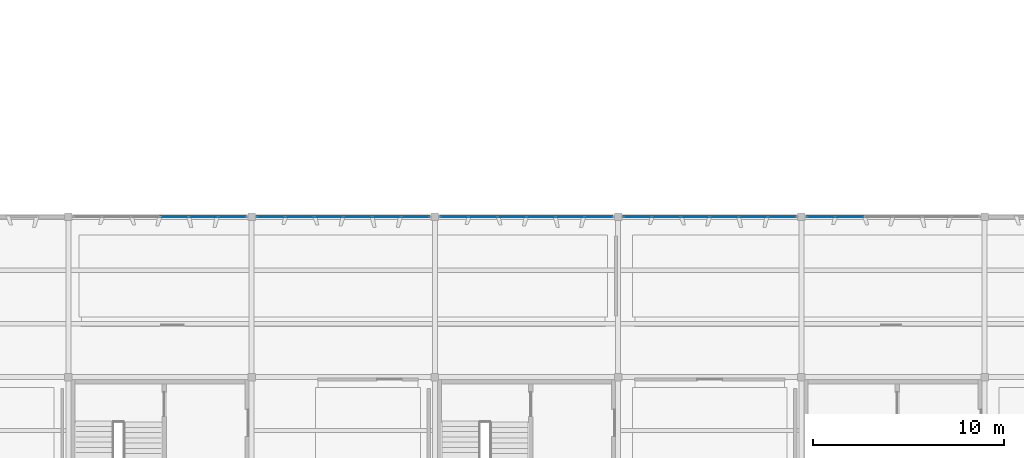
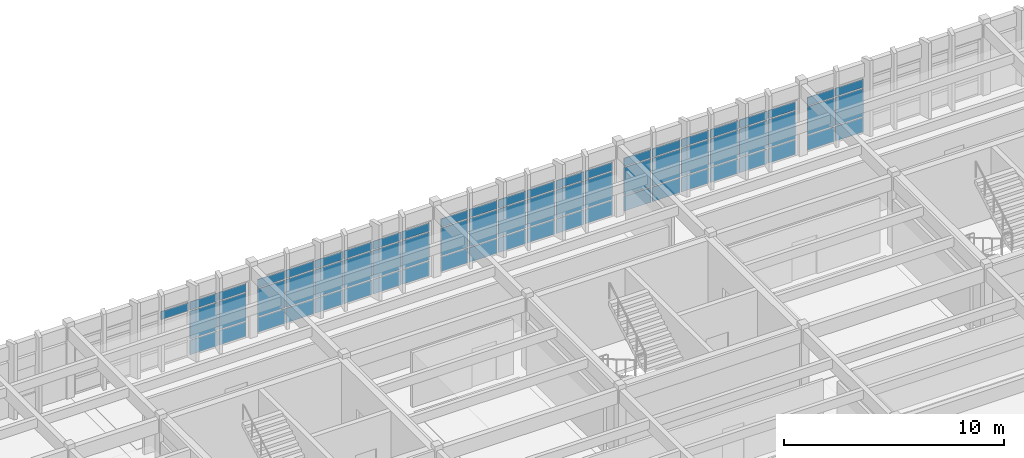
# One storey, part 20 of 42: 67 plates, 5 elements without a shape of their own.
"""IFC4 building model written with IfcOpenShell, lengths in metres."""

from ifc_helpers import new_model, si_unit, direction, frame, origin, origin_2d, place, context, subcontext, project, spatial, rectangle, extrude, material, layer, layer_set, type_object, element, aggregate, save


model = new_model("IFC4")

# Units and contexts
model_context = context("Model", 3, precision=1e-05, world=origin(), true_north=direction((0.0, 1.0)))
body_context = subcontext(model_context, "Body", "Model", "MODEL_VIEW")
ifc_project = project(units=[si_unit("LENGTHUNIT", "METRE"), si_unit("AREAUNIT", "SQUARE_METRE"), si_unit("VOLUMEUNIT", "CUBIC_METRE"), si_unit("PLANEANGLEUNIT", "RADIAN"), si_unit("MASSUNIT", "GRAM", prefix="KILO")], contexts=[model_context])

# Site, building, storey
site_placement = place(None, origin())
site = spatial("IfcSite", under=ifc_project, at=site_placement, CompositionType="ELEMENT")
building_placement = place(site_placement, origin())
building = spatial("IfcBuilding", under=site, at=building_placement, Name="Kolvemor Railside Polytechnic", CompositionType="ELEMENT")
storey_placement = place(building_placement, frame((0.0, 0.0, 14.39990234375)))
storey = spatial("IfcBuildingStorey", under=building, at=storey_placement, Name="L03", CompositionType="ELEMENT", Elevation=14.39990234375)

# Curtain wall, plates
ifc_material_1 = material(Name="Anodised marine aluminium and laminated low-E glass", Category="aluminium")
ifc_layer_1 = layer(ifc_material_1, 0.179931640625, Name="CW-UNIT-STD")
ifc_layer_set_1 = layer_set([ifc_layer_1], Name="Anodised marine aluminium and laminated low-E glass")
curtain_wall_type = type_object("IfcCurtainWallType", Name="CW-UNIT-STD", PredefinedType="USERDEFINED", material=ifc_layer_set_1)
curtain_wall_1_placement = place(storey_placement, origin())
curtain_wall_1 = element("IfcCurtainWall", 1, at=curtain_wall_1_placement, inside=storey, type_object=curtain_wall_type, Name="Curtain Wall L03-126", ObjectType="UNITISED CURTAIN WALL", PredefinedType="USERDEFINED")
ifc_material_2 = material(Name="Hurricane-laminated solar-control low-E glass", Category="glass")
ifc_layer_2 = layer(ifc_material_2, 0.033935546875, Name="CWP-GLZ-07")
ifc_layer_set_2 = layer_set([ifc_layer_2], Name="Hurricane-laminated solar-control low-E glass")
plate_type_1 = type_object("IfcPlateType", Name="CWP-GLZ-07", PredefinedType="CURTAIN_PANEL", material=ifc_layer_set_2)
plate_1_placement = place(storey_placement, frame((75.78369140625, 38.39990234375, 0.06494140625), z_axis=(0.0, 0.0, 1.0), x_axis=(-1.0, 0.0, 0.0)))
plate_1 = element("IfcPlate", 2, at=plate_1_placement, type_object=plate_type_1, Name="CW-STD panel 1.1", PredefinedType="CURTAIN_PANEL", context=body_context, shape_type="SweptSolid", body=[
    extrude(rectangle(XDim=1.422607421875, YDim=0.033935546875, at=origin_2d()), origin(), (0.0, 0.0, 1.0), 0.802490234375),
])
plate_2_placement = place(storey_placement, frame((75.78369140625, 38.39990234375, 0.9326171875), z_axis=(0.0, 0.0, 1.0), x_axis=(-1.0, 0.0, 0.0)))
plate_2 = element("IfcPlate", 3, at=plate_2_placement, type_object=plate_type_1, Name="CW-STD panel 1.2", PredefinedType="CURTAIN_PANEL", context=body_context, shape_type="SweptSolid", body=[
    extrude(rectangle(XDim=1.422607421875, YDim=0.033935546875, at=origin_2d()), origin(), (0.0, 0.0, 1.0), 1.534912109375),
])
plate_3_placement = place(storey_placement, frame((75.78369140625, 38.39990234375, 2.53271484375), z_axis=(0.0, 0.0, 1.0), x_axis=(-1.0, 0.0, 0.0)))
plate_3 = element("IfcPlate", 4, at=plate_3_placement, type_object=plate_type_1, Name="CW-STD panel 1.3", PredefinedType="CURTAIN_PANEL", context=body_context, shape_type="SweptSolid", body=[
    extrude(rectangle(XDim=1.422607421875, YDim=0.033935546875, at=origin_2d()), origin(), (0.0, 0.0, 1.0), 0.452392578125),
])
plate_4_placement = place(storey_placement, frame((74.280029296875, 38.39990234375, 0.06494140625), z_axis=(0.0, 0.0, 1.0), x_axis=(-1.0, 0.0, 0.0)))
plate_4 = element("IfcPlate", 5, at=plate_4_placement, type_object=plate_type_1, Name="CW-STD panel 2.1", PredefinedType="CURTAIN_PANEL", context=body_context, shape_type="SweptSolid", body=[
    extrude(rectangle(XDim=1.455078125, YDim=0.033935546875, at=origin_2d()), origin(), (0.0, 0.0, 1.0), 0.802490234375),
])
plate_5_placement = place(storey_placement, frame((74.280029296875, 38.39990234375, 0.9326171875), z_axis=(0.0, 0.0, 1.0), x_axis=(-1.0, 0.0, 0.0)))
plate_5 = element("IfcPlate", 6, at=plate_5_placement, type_object=plate_type_1, Name="CW-STD panel 2.2", PredefinedType="CURTAIN_PANEL", context=body_context, shape_type="SweptSolid", body=[
    extrude(rectangle(XDim=1.455078125, YDim=0.033935546875, at=origin_2d()), origin(), (0.0, 0.0, 1.0), 1.534912109375),
])
plate_6_placement = place(storey_placement, frame((74.280029296875, 38.39990234375, 2.53271484375), z_axis=(0.0, 0.0, 1.0), x_axis=(-1.0, 0.0, 0.0)))
plate_6 = element("IfcPlate", 7, at=plate_6_placement, type_object=plate_type_1, Name="CW-STD panel 2.3", PredefinedType="CURTAIN_PANEL", context=body_context, shape_type="SweptSolid", body=[
    extrude(rectangle(XDim=1.455078125, YDim=0.033935546875, at=origin_2d()), origin(), (0.0, 0.0, 1.0), 0.452392578125),
])
plate_7_placement = place(storey_placement, frame((72.760009765625, 38.39990234375, 2.53271484375), z_axis=(0.0, 0.0, 1.0), x_axis=(-1.0, 0.0, 0.0)))
plate_7 = element("IfcPlate", 8, at=plate_7_placement, type_object=plate_type_1, Name="CW-STD panel 3.3", PredefinedType="CURTAIN_PANEL", context=body_context, shape_type="SweptSolid", body=[
    extrude(rectangle(XDim=1.455078125, YDim=0.033935546875, at=origin_2d()), origin(), (0.0, 0.0, 1.0), 0.452392578125),
])
aggregate(curtain_wall_1, [plate_1, plate_2, plate_3, plate_4, plate_5, plate_6, plate_7])

curtain_wall_2_placement = place(storey_placement, origin())
curtain_wall_2 = element("IfcCurtainWall", 9, at=curtain_wall_2_placement, inside=storey, type_object=curtain_wall_type, Name="Curtain Wall L03-127", ObjectType="UNITISED CURTAIN WALL", PredefinedType="USERDEFINED")
ifc_material_3 = material(Name="Hurricane-laminated solar-control low-E glass", Category="glass")
ifc_layer_3 = layer(ifc_material_3, 0.035888671875, Name="CWP-GLZ-08")
ifc_layer_set_3 = layer_set([ifc_layer_3], Name="Hurricane-laminated solar-control low-E glass")
plate_type_2 = type_object("IfcPlateType", Name="CWP-GLZ-08", PredefinedType="CURTAIN_PANEL", material=ifc_layer_set_3)
plate_8_placement = place(storey_placement, frame((85.3837890625, 38.39990234375, 0.06494140625), z_axis=(0.0, 0.0, 1.0), x_axis=(-1.0, 0.0, 0.0)))
plate_8 = element("IfcPlate", 10, at=plate_8_placement, type_object=plate_type_2, Name="CW-STD panel 1.1", PredefinedType="CURTAIN_PANEL", context=body_context, shape_type="SweptSolid", body=[
    extrude(rectangle(XDim=1.422607421875, YDim=0.035888671875, at=origin_2d()), origin(), (0.0, 0.0, 1.0), 0.802490234375),
])
plate_9_placement = place(storey_placement, frame((85.3837890625, 38.39990234375, 0.9326171875), z_axis=(0.0, 0.0, 1.0), x_axis=(-1.0, 0.0, 0.0)))
plate_9 = element("IfcPlate", 11, at=plate_9_placement, type_object=plate_type_2, Name="CW-STD panel 1.2", PredefinedType="CURTAIN_PANEL", context=body_context, shape_type="SweptSolid", body=[
    extrude(rectangle(XDim=1.422607421875, YDim=0.035888671875, at=origin_2d()), origin(), (0.0, 0.0, 1.0), 1.534912109375),
])
plate_10_placement = place(storey_placement, frame((85.3837890625, 38.39990234375, 2.53271484375), z_axis=(0.0, 0.0, 1.0), x_axis=(-1.0, 0.0, 0.0)))
plate_10 = element("IfcPlate", 12, at=plate_10_placement, type_object=plate_type_2, Name="CW-STD panel 1.3", PredefinedType="CURTAIN_PANEL", context=body_context, shape_type="SweptSolid", body=[
    extrude(rectangle(XDim=1.422607421875, YDim=0.035888671875, at=origin_2d()), origin(), (0.0, 0.0, 1.0), 0.452392578125),
])
plate_11_placement = place(storey_placement, frame((83.8798828125, 38.39990234375, 0.06494140625), z_axis=(0.0, 0.0, 1.0), x_axis=(-1.0, 0.0, 0.0)))
plate_11 = element("IfcPlate", 13, at=plate_11_placement, type_object=plate_type_2, Name="CW-STD panel 2.1", PredefinedType="CURTAIN_PANEL", context=body_context, shape_type="SweptSolid", body=[
    extrude(rectangle(XDim=1.455078125, YDim=0.035888671875, at=origin_2d()), origin(), (0.0, 0.0, 1.0), 0.802490234375),
])
plate_12_placement = place(storey_placement, frame((83.8798828125, 38.39990234375, 0.9326171875), z_axis=(0.0, 0.0, 1.0), x_axis=(-1.0, 0.0, 0.0)))
plate_12 = element("IfcPlate", 14, at=plate_12_placement, type_object=plate_type_2, Name="CW-STD panel 2.2", PredefinedType="CURTAIN_PANEL", context=body_context, shape_type="SweptSolid", body=[
    extrude(rectangle(XDim=1.455078125, YDim=0.035888671875, at=origin_2d()), origin(), (0.0, 0.0, 1.0), 1.534912109375),
])
plate_13_placement = place(storey_placement, frame((83.8798828125, 38.39990234375, 2.53271484375), z_axis=(0.0, 0.0, 1.0), x_axis=(-1.0, 0.0, 0.0)))
plate_13 = element("IfcPlate", 15, at=plate_13_placement, type_object=plate_type_2, Name="CW-STD panel 2.3", PredefinedType="CURTAIN_PANEL", context=body_context, shape_type="SweptSolid", body=[
    extrude(rectangle(XDim=1.455078125, YDim=0.035888671875, at=origin_2d()), origin(), (0.0, 0.0, 1.0), 0.452392578125),
])
plate_14_placement = place(storey_placement, frame((82.360107421875, 38.39990234375, 0.06494140625), z_axis=(0.0, 0.0, 1.0), x_axis=(-1.0, 0.0, 0.0)))
plate_14 = element("IfcPlate", 16, at=plate_14_placement, type_object=plate_type_2, Name="CW-STD panel 3.1", PredefinedType="CURTAIN_PANEL", context=body_context, shape_type="SweptSolid", body=[
    extrude(rectangle(XDim=1.455078125, YDim=0.035888671875, at=origin_2d()), origin(), (0.0, 0.0, 1.0), 0.802490234375),
])
plate_15_placement = place(storey_placement, frame((82.360107421875, 38.39990234375, 0.9326171875), z_axis=(0.0, 0.0, 1.0), x_axis=(-1.0, 0.0, 0.0)))
plate_15 = element("IfcPlate", 17, at=plate_15_placement, type_object=plate_type_2, Name="CW-STD panel 3.2", PredefinedType="CURTAIN_PANEL", context=body_context, shape_type="SweptSolid", body=[
    extrude(rectangle(XDim=1.455078125, YDim=0.035888671875, at=origin_2d()), origin(), (0.0, 0.0, 1.0), 1.534912109375),
])
plate_16_placement = place(storey_placement, frame((82.360107421875, 38.39990234375, 2.53271484375), z_axis=(0.0, 0.0, 1.0), x_axis=(-1.0, 0.0, 0.0)))
plate_16 = element("IfcPlate", 18, at=plate_16_placement, type_object=plate_type_2, Name="CW-STD panel 3.3", PredefinedType="CURTAIN_PANEL", context=body_context, shape_type="SweptSolid", body=[
    extrude(rectangle(XDim=1.455078125, YDim=0.035888671875, at=origin_2d()), origin(), (0.0, 0.0, 1.0), 0.452392578125),
])
plate_17_placement = place(storey_placement, frame((80.840087890625, 38.39990234375, 0.06494140625), z_axis=(0.0, 0.0, 1.0), x_axis=(-1.0, 0.0, 0.0)))
plate_17 = element("IfcPlate", 19, at=plate_17_placement, type_object=plate_type_2, Name="CW-STD panel 4.1", PredefinedType="CURTAIN_PANEL", context=body_context, shape_type="SweptSolid", body=[
    extrude(rectangle(XDim=1.455078125, YDim=0.035888671875, at=origin_2d()), origin(), (0.0, 0.0, 1.0), 0.802490234375),
])
plate_18_placement = place(storey_placement, frame((80.840087890625, 38.39990234375, 0.9326171875), z_axis=(0.0, 0.0, 1.0), x_axis=(-1.0, 0.0, 0.0)))
plate_18 = element("IfcPlate", 20, at=plate_18_placement, type_object=plate_type_2, Name="CW-STD panel 4.2", PredefinedType="CURTAIN_PANEL", context=body_context, shape_type="SweptSolid", body=[
    extrude(rectangle(XDim=1.455078125, YDim=0.035888671875, at=origin_2d()), origin(), (0.0, 0.0, 1.0), 1.534912109375),
])
plate_19_placement = place(storey_placement, frame((80.840087890625, 38.39990234375, 2.53271484375), z_axis=(0.0, 0.0, 1.0), x_axis=(-1.0, 0.0, 0.0)))
plate_19 = element("IfcPlate", 21, at=plate_19_placement, type_object=plate_type_2, Name="CW-STD panel 4.3", PredefinedType="CURTAIN_PANEL", context=body_context, shape_type="SweptSolid", body=[
    extrude(rectangle(XDim=1.455078125, YDim=0.035888671875, at=origin_2d()), origin(), (0.0, 0.0, 1.0), 0.452392578125),
])
plate_20_placement = place(storey_placement, frame((79.320068359375, 38.39990234375, 0.06494140625), z_axis=(0.0, 0.0, 1.0), x_axis=(-1.0, 0.0, 0.0)))
plate_20 = element("IfcPlate", 22, at=plate_20_placement, type_object=plate_type_2, Name="CW-STD panel 5.1", PredefinedType="CURTAIN_PANEL", context=body_context, shape_type="SweptSolid", body=[
    extrude(rectangle(XDim=1.455078125, YDim=0.035888671875, at=origin_2d()), origin(), (0.0, 0.0, 1.0), 0.802490234375),
])
plate_21_placement = place(storey_placement, frame((79.320068359375, 38.39990234375, 0.9326171875), z_axis=(0.0, 0.0, 1.0), x_axis=(-1.0, 0.0, 0.0)))
plate_21 = element("IfcPlate", 23, at=plate_21_placement, type_object=plate_type_2, Name="CW-STD panel 5.2", PredefinedType="CURTAIN_PANEL", context=body_context, shape_type="SweptSolid", body=[
    extrude(rectangle(XDim=1.455078125, YDim=0.035888671875, at=origin_2d()), origin(), (0.0, 0.0, 1.0), 1.534912109375),
])
plate_22_placement = place(storey_placement, frame((79.320068359375, 38.39990234375, 2.53271484375), z_axis=(0.0, 0.0, 1.0), x_axis=(-1.0, 0.0, 0.0)))
plate_22 = element("IfcPlate", 24, at=plate_22_placement, type_object=plate_type_2, Name="CW-STD panel 5.3", PredefinedType="CURTAIN_PANEL", context=body_context, shape_type="SweptSolid", body=[
    extrude(rectangle(XDim=1.455078125, YDim=0.035888671875, at=origin_2d()), origin(), (0.0, 0.0, 1.0), 0.452392578125),
])
plate_23_placement = place(storey_placement, frame((77.816162109375, 38.39990234375, 0.06494140625), z_axis=(0.0, 0.0, 1.0), x_axis=(-1.0, 0.0, 0.0)))
plate_23 = element("IfcPlate", 25, at=plate_23_placement, type_object=plate_type_2, Name="CW-STD panel 6.1", PredefinedType="CURTAIN_PANEL", context=body_context, shape_type="SweptSolid", body=[
    extrude(rectangle(XDim=1.422607421875, YDim=0.035888671875, at=origin_2d()), origin(), (0.0, 0.0, 1.0), 0.802490234375),
])
plate_24_placement = place(storey_placement, frame((77.816162109375, 38.39990234375, 0.9326171875), z_axis=(0.0, 0.0, 1.0), x_axis=(-1.0, 0.0, 0.0)))
plate_24 = element("IfcPlate", 26, at=plate_24_placement, type_object=plate_type_2, Name="CW-STD panel 6.2", PredefinedType="CURTAIN_PANEL", context=body_context, shape_type="SweptSolid", body=[
    extrude(rectangle(XDim=1.422607421875, YDim=0.035888671875, at=origin_2d()), origin(), (0.0, 0.0, 1.0), 1.534912109375),
])
plate_25_placement = place(storey_placement, frame((77.816162109375, 38.39990234375, 2.53271484375), z_axis=(0.0, 0.0, 1.0), x_axis=(-1.0, 0.0, 0.0)))
plate_25 = element("IfcPlate", 27, at=plate_25_placement, type_object=plate_type_2, Name="CW-STD panel 6.3", PredefinedType="CURTAIN_PANEL", context=body_context, shape_type="SweptSolid", body=[
    extrude(rectangle(XDim=1.422607421875, YDim=0.035888671875, at=origin_2d()), origin(), (0.0, 0.0, 1.0), 0.452392578125),
])
aggregate(curtain_wall_2, [plate_8, plate_9, plate_10, plate_11, plate_12, plate_13, plate_14, plate_15, plate_16, plate_17, plate_18, plate_19, plate_20, plate_21, plate_22, plate_23, plate_24, plate_25])

curtain_wall_3_placement = place(storey_placement, origin())
curtain_wall_3 = element("IfcCurtainWall", 28, at=curtain_wall_3_placement, inside=storey, type_object=curtain_wall_type, Name="Curtain Wall L03-128", ObjectType="UNITISED CURTAIN WALL", PredefinedType="USERDEFINED")
ifc_material_4 = material(Name="Hurricane-laminated solar-control low-E glass", Category="glass")
ifc_layer_4 = layer(ifc_material_4, 0.0380859375, Name="CWP-GLZ-09")
ifc_layer_set_4 = layer_set([ifc_layer_4], Name="Hurricane-laminated solar-control low-E glass")
plate_type_3 = type_object("IfcPlateType", Name="CWP-GLZ-09", PredefinedType="CURTAIN_PANEL", material=ifc_layer_set_4)
plate_26_placement = place(storey_placement, frame((94.983642578125, 38.39990234375, 0.06494140625), z_axis=(0.0, 0.0, 1.0), x_axis=(-1.0, 0.0, 0.0)))
plate_26 = element("IfcPlate", 29, at=plate_26_placement, type_object=plate_type_3, Name="CW-STD panel 1.1", PredefinedType="CURTAIN_PANEL", context=body_context, shape_type="SweptSolid", body=[
    extrude(rectangle(XDim=1.422607421875, YDim=0.0380859375, at=origin_2d()), origin(), (0.0, 0.0, 1.0), 0.802490234375),
])
plate_27_placement = place(storey_placement, frame((94.983642578125, 38.39990234375, 0.9326171875), z_axis=(0.0, 0.0, 1.0), x_axis=(-1.0, 0.0, 0.0)))
plate_27 = element("IfcPlate", 30, at=plate_27_placement, type_object=plate_type_3, Name="CW-STD panel 1.2", PredefinedType="CURTAIN_PANEL", context=body_context, shape_type="SweptSolid", body=[
    extrude(rectangle(XDim=1.422607421875, YDim=0.0380859375, at=origin_2d()), origin(), (0.0, 0.0, 1.0), 1.534912109375),
])
plate_28_placement = place(storey_placement, frame((94.983642578125, 38.39990234375, 2.53271484375), z_axis=(0.0, 0.0, 1.0), x_axis=(-1.0, 0.0, 0.0)))
plate_28 = element("IfcPlate", 31, at=plate_28_placement, type_object=plate_type_3, Name="CW-STD panel 1.3", PredefinedType="CURTAIN_PANEL", context=body_context, shape_type="SweptSolid", body=[
    extrude(rectangle(XDim=1.422607421875, YDim=0.0380859375, at=origin_2d()), origin(), (0.0, 0.0, 1.0), 0.452392578125),
])
plate_29_placement = place(storey_placement, frame((93.47998046875, 38.39990234375, 0.06494140625), z_axis=(0.0, 0.0, 1.0), x_axis=(-1.0, 0.0, 0.0)))
plate_29 = element("IfcPlate", 32, at=plate_29_placement, type_object=plate_type_3, Name="CW-STD panel 2.1", PredefinedType="CURTAIN_PANEL", context=body_context, shape_type="SweptSolid", body=[
    extrude(rectangle(XDim=1.455078125, YDim=0.0380859375, at=origin_2d()), origin(), (0.0, 0.0, 1.0), 0.802490234375),
])
plate_30_placement = place(storey_placement, frame((93.47998046875, 38.39990234375, 0.9326171875), z_axis=(0.0, 0.0, 1.0), x_axis=(-1.0, 0.0, 0.0)))
plate_30 = element("IfcPlate", 33, at=plate_30_placement, type_object=plate_type_3, Name="CW-STD panel 2.2", PredefinedType="CURTAIN_PANEL", context=body_context, shape_type="SweptSolid", body=[
    extrude(rectangle(XDim=1.455078125, YDim=0.0380859375, at=origin_2d()), origin(), (0.0, 0.0, 1.0), 1.534912109375),
])
plate_31_placement = place(storey_placement, frame((93.47998046875, 38.39990234375, 2.53271484375), z_axis=(0.0, 0.0, 1.0), x_axis=(-1.0, 0.0, 0.0)))
plate_31 = element("IfcPlate", 34, at=plate_31_placement, type_object=plate_type_3, Name="CW-STD panel 2.3", PredefinedType="CURTAIN_PANEL", context=body_context, shape_type="SweptSolid", body=[
    extrude(rectangle(XDim=1.455078125, YDim=0.0380859375, at=origin_2d()), origin(), (0.0, 0.0, 1.0), 0.452392578125),
])
plate_32_placement = place(storey_placement, frame((91.9599609375, 38.39990234375, 0.06494140625), z_axis=(0.0, 0.0, 1.0), x_axis=(-1.0, 0.0, 0.0)))
plate_32 = element("IfcPlate", 35, at=plate_32_placement, type_object=plate_type_3, Name="CW-STD panel 3.1", PredefinedType="CURTAIN_PANEL", context=body_context, shape_type="SweptSolid", body=[
    extrude(rectangle(XDim=1.455078125, YDim=0.0380859375, at=origin_2d()), origin(), (0.0, 0.0, 1.0), 0.802490234375),
])
plate_33_placement = place(storey_placement, frame((91.9599609375, 38.39990234375, 0.9326171875), z_axis=(0.0, 0.0, 1.0), x_axis=(-1.0, 0.0, 0.0)))
plate_33 = element("IfcPlate", 36, at=plate_33_placement, type_object=plate_type_3, Name="CW-STD panel 3.2", PredefinedType="CURTAIN_PANEL", context=body_context, shape_type="SweptSolid", body=[
    extrude(rectangle(XDim=1.455078125, YDim=0.0380859375, at=origin_2d()), origin(), (0.0, 0.0, 1.0), 1.534912109375),
])
plate_34_placement = place(storey_placement, frame((91.9599609375, 38.39990234375, 2.53271484375), z_axis=(0.0, 0.0, 1.0), x_axis=(-1.0, 0.0, 0.0)))
plate_34 = element("IfcPlate", 37, at=plate_34_placement, type_object=plate_type_3, Name="CW-STD panel 3.3", PredefinedType="CURTAIN_PANEL", context=body_context, shape_type="SweptSolid", body=[
    extrude(rectangle(XDim=1.455078125, YDim=0.0380859375, at=origin_2d()), origin(), (0.0, 0.0, 1.0), 0.452392578125),
])
plate_35_placement = place(storey_placement, frame((90.43994140625, 38.39990234375, 0.06494140625), z_axis=(0.0, 0.0, 1.0), x_axis=(-1.0, 0.0, 0.0)))
plate_35 = element("IfcPlate", 38, at=plate_35_placement, type_object=plate_type_3, Name="CW-STD panel 4.1", PredefinedType="CURTAIN_PANEL", context=body_context, shape_type="SweptSolid", body=[
    extrude(rectangle(XDim=1.455078125, YDim=0.0380859375, at=origin_2d()), origin(), (0.0, 0.0, 1.0), 0.802490234375),
])
plate_36_placement = place(storey_placement, frame((90.43994140625, 38.39990234375, 0.9326171875), z_axis=(0.0, 0.0, 1.0), x_axis=(-1.0, 0.0, 0.0)))
plate_36 = element("IfcPlate", 39, at=plate_36_placement, type_object=plate_type_3, Name="CW-STD panel 4.2", PredefinedType="CURTAIN_PANEL", context=body_context, shape_type="SweptSolid", body=[
    extrude(rectangle(XDim=1.455078125, YDim=0.0380859375, at=origin_2d()), origin(), (0.0, 0.0, 1.0), 1.534912109375),
])
plate_37_placement = place(storey_placement, frame((90.43994140625, 38.39990234375, 2.53271484375), z_axis=(0.0, 0.0, 1.0), x_axis=(-1.0, 0.0, 0.0)))
plate_37 = element("IfcPlate", 40, at=plate_37_placement, type_object=plate_type_3, Name="CW-STD panel 4.3", PredefinedType="CURTAIN_PANEL", context=body_context, shape_type="SweptSolid", body=[
    extrude(rectangle(XDim=1.455078125, YDim=0.0380859375, at=origin_2d()), origin(), (0.0, 0.0, 1.0), 0.452392578125),
])
plate_38_placement = place(storey_placement, frame((88.919921875, 38.39990234375, 0.06494140625), z_axis=(0.0, 0.0, 1.0), x_axis=(-1.0, 0.0, 0.0)))
plate_38 = element("IfcPlate", 41, at=plate_38_placement, type_object=plate_type_3, Name="CW-STD panel 5.1", PredefinedType="CURTAIN_PANEL", context=body_context, shape_type="SweptSolid", body=[
    extrude(rectangle(XDim=1.455078125, YDim=0.0380859375, at=origin_2d()), origin(), (0.0, 0.0, 1.0), 0.802490234375),
])
plate_39_placement = place(storey_placement, frame((88.919921875, 38.39990234375, 0.9326171875), z_axis=(0.0, 0.0, 1.0), x_axis=(-1.0, 0.0, 0.0)))
plate_39 = element("IfcPlate", 42, at=plate_39_placement, type_object=plate_type_3, Name="CW-STD panel 5.2", PredefinedType="CURTAIN_PANEL", context=body_context, shape_type="SweptSolid", body=[
    extrude(rectangle(XDim=1.455078125, YDim=0.0380859375, at=origin_2d()), origin(), (0.0, 0.0, 1.0), 1.534912109375),
])
plate_40_placement = place(storey_placement, frame((88.919921875, 38.39990234375, 2.53271484375), z_axis=(0.0, 0.0, 1.0), x_axis=(-1.0, 0.0, 0.0)))
plate_40 = element("IfcPlate", 43, at=plate_40_placement, type_object=plate_type_3, Name="CW-STD panel 5.3", PredefinedType="CURTAIN_PANEL", context=body_context, shape_type="SweptSolid", body=[
    extrude(rectangle(XDim=1.455078125, YDim=0.0380859375, at=origin_2d()), origin(), (0.0, 0.0, 1.0), 0.452392578125),
])
plate_41_placement = place(storey_placement, frame((87.416259765625, 38.39990234375, 0.06494140625), z_axis=(0.0, 0.0, 1.0), x_axis=(-1.0, 0.0, 0.0)))
plate_41 = element("IfcPlate", 44, at=plate_41_placement, type_object=plate_type_3, Name="CW-STD panel 6.1", PredefinedType="CURTAIN_PANEL", context=body_context, shape_type="SweptSolid", body=[
    extrude(rectangle(XDim=1.422607421875, YDim=0.0380859375, at=origin_2d()), origin(), (0.0, 0.0, 1.0), 0.802490234375),
])
plate_42_placement = place(storey_placement, frame((87.416259765625, 38.39990234375, 0.9326171875), z_axis=(0.0, 0.0, 1.0), x_axis=(-1.0, 0.0, 0.0)))
plate_42 = element("IfcPlate", 45, at=plate_42_placement, type_object=plate_type_3, Name="CW-STD panel 6.2", PredefinedType="CURTAIN_PANEL", context=body_context, shape_type="SweptSolid", body=[
    extrude(rectangle(XDim=1.422607421875, YDim=0.0380859375, at=origin_2d()), origin(), (0.0, 0.0, 1.0), 1.534912109375),
])
plate_43_placement = place(storey_placement, frame((87.416259765625, 38.39990234375, 2.53271484375), z_axis=(0.0, 0.0, 1.0), x_axis=(-1.0, 0.0, 0.0)))
plate_43 = element("IfcPlate", 46, at=plate_43_placement, type_object=plate_type_3, Name="CW-STD panel 6.3", PredefinedType="CURTAIN_PANEL", context=body_context, shape_type="SweptSolid", body=[
    extrude(rectangle(XDim=1.422607421875, YDim=0.0380859375, at=origin_2d()), origin(), (0.0, 0.0, 1.0), 0.452392578125),
])
aggregate(curtain_wall_3, [plate_26, plate_27, plate_28, plate_29, plate_30, plate_31, plate_32, plate_33, plate_34, plate_35, plate_36, plate_37, plate_38, plate_39, plate_40, plate_41, plate_42, plate_43])

curtain_wall_4_placement = place(storey_placement, origin())
curtain_wall_4 = element("IfcCurtainWall", 47, at=curtain_wall_4_placement, inside=storey, type_object=curtain_wall_type, Name="Curtain Wall L03-129", ObjectType="UNITISED CURTAIN WALL", PredefinedType="USERDEFINED")
ifc_material_5 = material(Name="Hurricane-laminated solar-control low-E glass", Category="glass")
ifc_layer_5 = layer(ifc_material_5, 0.0400390625, Name="CWP-GLZ-10")
ifc_layer_set_5 = layer_set([ifc_layer_5], Name="Hurricane-laminated solar-control low-E glass")
plate_type_4 = type_object("IfcPlateType", Name="CWP-GLZ-10", PredefinedType="CURTAIN_PANEL", material=ifc_layer_set_5)
plate_44_placement = place(storey_placement, frame((104.583740234375, 38.39990234375, 0.06494140625), z_axis=(0.0, 0.0, 1.0), x_axis=(-1.0, 0.0, 0.0)))
plate_44 = element("IfcPlate", 48, at=plate_44_placement, type_object=plate_type_4, Name="CW-STD panel 1.1", PredefinedType="CURTAIN_PANEL", context=body_context, shape_type="SweptSolid", body=[
    extrude(rectangle(XDim=1.422607421875, YDim=0.0400390625, at=origin_2d()), origin(), (0.0, 0.0, 1.0), 0.802490234375),
])
plate_45_placement = place(storey_placement, frame((104.583740234375, 38.39990234375, 0.9326171875), z_axis=(0.0, 0.0, 1.0), x_axis=(-1.0, 0.0, 0.0)))
plate_45 = element("IfcPlate", 49, at=plate_45_placement, type_object=plate_type_4, Name="CW-STD panel 1.2", PredefinedType="CURTAIN_PANEL", context=body_context, shape_type="SweptSolid", body=[
    extrude(rectangle(XDim=1.422607421875, YDim=0.0400390625, at=origin_2d()), origin(), (0.0, 0.0, 1.0), 1.534912109375),
])
plate_46_placement = place(storey_placement, frame((104.583740234375, 38.39990234375, 2.53271484375), z_axis=(0.0, 0.0, 1.0), x_axis=(-1.0, 0.0, 0.0)))
plate_46 = element("IfcPlate", 50, at=plate_46_placement, type_object=plate_type_4, Name="CW-STD panel 1.3", PredefinedType="CURTAIN_PANEL", context=body_context, shape_type="SweptSolid", body=[
    extrude(rectangle(XDim=1.422607421875, YDim=0.0400390625, at=origin_2d()), origin(), (0.0, 0.0, 1.0), 0.452392578125),
])
plate_47_placement = place(storey_placement, frame((103.080078125, 38.39990234375, 0.06494140625), z_axis=(0.0, 0.0, 1.0), x_axis=(-1.0, 0.0, 0.0)))
plate_47 = element("IfcPlate", 51, at=plate_47_placement, type_object=plate_type_4, Name="CW-STD panel 2.1", PredefinedType="CURTAIN_PANEL", context=body_context, shape_type="SweptSolid", body=[
    extrude(rectangle(XDim=1.455078125, YDim=0.0400390625, at=origin_2d()), origin(), (0.0, 0.0, 1.0), 0.802490234375),
])
plate_48_placement = place(storey_placement, frame((103.080078125, 38.39990234375, 0.9326171875), z_axis=(0.0, 0.0, 1.0), x_axis=(-1.0, 0.0, 0.0)))
plate_48 = element("IfcPlate", 52, at=plate_48_placement, type_object=plate_type_4, Name="CW-STD panel 2.2", PredefinedType="CURTAIN_PANEL", context=body_context, shape_type="SweptSolid", body=[
    extrude(rectangle(XDim=1.455078125, YDim=0.0400390625, at=origin_2d()), origin(), (0.0, 0.0, 1.0), 1.534912109375),
])
plate_49_placement = place(storey_placement, frame((103.080078125, 38.39990234375, 2.53271484375), z_axis=(0.0, 0.0, 1.0), x_axis=(-1.0, 0.0, 0.0)))
plate_49 = element("IfcPlate", 53, at=plate_49_placement, type_object=plate_type_4, Name="CW-STD panel 2.3", PredefinedType="CURTAIN_PANEL", context=body_context, shape_type="SweptSolid", body=[
    extrude(rectangle(XDim=1.455078125, YDim=0.0400390625, at=origin_2d()), origin(), (0.0, 0.0, 1.0), 0.452392578125),
])
plate_50_placement = place(storey_placement, frame((101.56005859375, 38.39990234375, 0.06494140625), z_axis=(0.0, 0.0, 1.0), x_axis=(-1.0, 0.0, 0.0)))
plate_50 = element("IfcPlate", 54, at=plate_50_placement, type_object=plate_type_4, Name="CW-STD panel 3.1", PredefinedType="CURTAIN_PANEL", context=body_context, shape_type="SweptSolid", body=[
    extrude(rectangle(XDim=1.455078125, YDim=0.0400390625, at=origin_2d()), origin(), (0.0, 0.0, 1.0), 0.802490234375),
])
plate_51_placement = place(storey_placement, frame((101.56005859375, 38.39990234375, 0.9326171875), z_axis=(0.0, 0.0, 1.0), x_axis=(-1.0, 0.0, 0.0)))
plate_51 = element("IfcPlate", 55, at=plate_51_placement, type_object=plate_type_4, Name="CW-STD panel 3.2", PredefinedType="CURTAIN_PANEL", context=body_context, shape_type="SweptSolid", body=[
    extrude(rectangle(XDim=1.455078125, YDim=0.0400390625, at=origin_2d()), origin(), (0.0, 0.0, 1.0), 1.534912109375),
])
plate_52_placement = place(storey_placement, frame((101.56005859375, 38.39990234375, 2.53271484375), z_axis=(0.0, 0.0, 1.0), x_axis=(-1.0, 0.0, 0.0)))
plate_52 = element("IfcPlate", 56, at=plate_52_placement, type_object=plate_type_4, Name="CW-STD panel 3.3", PredefinedType="CURTAIN_PANEL", context=body_context, shape_type="SweptSolid", body=[
    extrude(rectangle(XDim=1.455078125, YDim=0.0400390625, at=origin_2d()), origin(), (0.0, 0.0, 1.0), 0.452392578125),
])
plate_53_placement = place(storey_placement, frame((100.0400390625, 38.39990234375, 0.06494140625), z_axis=(0.0, 0.0, 1.0), x_axis=(-1.0, 0.0, 0.0)))
plate_53 = element("IfcPlate", 57, at=plate_53_placement, type_object=plate_type_4, Name="CW-STD panel 4.1", PredefinedType="CURTAIN_PANEL", context=body_context, shape_type="SweptSolid", body=[
    extrude(rectangle(XDim=1.455078125, YDim=0.0400390625, at=origin_2d()), origin(), (0.0, 0.0, 1.0), 0.802490234375),
])
plate_54_placement = place(storey_placement, frame((100.0400390625, 38.39990234375, 0.9326171875), z_axis=(0.0, 0.0, 1.0), x_axis=(-1.0, 0.0, 0.0)))
plate_54 = element("IfcPlate", 58, at=plate_54_placement, type_object=plate_type_4, Name="CW-STD panel 4.2", PredefinedType="CURTAIN_PANEL", context=body_context, shape_type="SweptSolid", body=[
    extrude(rectangle(XDim=1.455078125, YDim=0.0400390625, at=origin_2d()), origin(), (0.0, 0.0, 1.0), 1.534912109375),
])
plate_55_placement = place(storey_placement, frame((100.0400390625, 38.39990234375, 2.53271484375), z_axis=(0.0, 0.0, 1.0), x_axis=(-1.0, 0.0, 0.0)))
plate_55 = element("IfcPlate", 59, at=plate_55_placement, type_object=plate_type_4, Name="CW-STD panel 4.3", PredefinedType="CURTAIN_PANEL", context=body_context, shape_type="SweptSolid", body=[
    extrude(rectangle(XDim=1.455078125, YDim=0.0400390625, at=origin_2d()), origin(), (0.0, 0.0, 1.0), 0.452392578125),
])
plate_56_placement = place(storey_placement, frame((98.52001953125, 38.39990234375, 0.06494140625), z_axis=(0.0, 0.0, 1.0), x_axis=(-1.0, 0.0, 0.0)))
plate_56 = element("IfcPlate", 60, at=plate_56_placement, type_object=plate_type_4, Name="CW-STD panel 5.1", PredefinedType="CURTAIN_PANEL", context=body_context, shape_type="SweptSolid", body=[
    extrude(rectangle(XDim=1.455078125, YDim=0.0400390625, at=origin_2d()), origin(), (0.0, 0.0, 1.0), 0.802490234375),
])
plate_57_placement = place(storey_placement, frame((98.52001953125, 38.39990234375, 0.9326171875), z_axis=(0.0, 0.0, 1.0), x_axis=(-1.0, 0.0, 0.0)))
plate_57 = element("IfcPlate", 61, at=plate_57_placement, type_object=plate_type_4, Name="CW-STD panel 5.2", PredefinedType="CURTAIN_PANEL", context=body_context, shape_type="SweptSolid", body=[
    extrude(rectangle(XDim=1.455078125, YDim=0.0400390625, at=origin_2d()), origin(), (0.0, 0.0, 1.0), 1.534912109375),
])
plate_58_placement = place(storey_placement, frame((98.52001953125, 38.39990234375, 2.53271484375), z_axis=(0.0, 0.0, 1.0), x_axis=(-1.0, 0.0, 0.0)))
plate_58 = element("IfcPlate", 62, at=plate_58_placement, type_object=plate_type_4, Name="CW-STD panel 5.3", PredefinedType="CURTAIN_PANEL", context=body_context, shape_type="SweptSolid", body=[
    extrude(rectangle(XDim=1.455078125, YDim=0.0400390625, at=origin_2d()), origin(), (0.0, 0.0, 1.0), 0.452392578125),
])
plate_59_placement = place(storey_placement, frame((97.016357421875, 38.39990234375, 0.06494140625), z_axis=(0.0, 0.0, 1.0), x_axis=(-1.0, 0.0, 0.0)))
plate_59 = element("IfcPlate", 63, at=plate_59_placement, type_object=plate_type_4, Name="CW-STD panel 6.1", PredefinedType="CURTAIN_PANEL", context=body_context, shape_type="SweptSolid", body=[
    extrude(rectangle(XDim=1.422607421875, YDim=0.0400390625, at=origin_2d()), origin(), (0.0, 0.0, 1.0), 0.802490234375),
])
plate_60_placement = place(storey_placement, frame((97.016357421875, 38.39990234375, 0.9326171875), z_axis=(0.0, 0.0, 1.0), x_axis=(-1.0, 0.0, 0.0)))
plate_60 = element("IfcPlate", 64, at=plate_60_placement, type_object=plate_type_4, Name="CW-STD panel 6.2", PredefinedType="CURTAIN_PANEL", context=body_context, shape_type="SweptSolid", body=[
    extrude(rectangle(XDim=1.422607421875, YDim=0.0400390625, at=origin_2d()), origin(), (0.0, 0.0, 1.0), 1.534912109375),
])
plate_61_placement = place(storey_placement, frame((97.016357421875, 38.39990234375, 2.53271484375), z_axis=(0.0, 0.0, 1.0), x_axis=(-1.0, 0.0, 0.0)))
plate_61 = element("IfcPlate", 65, at=plate_61_placement, type_object=plate_type_4, Name="CW-STD panel 6.3", PredefinedType="CURTAIN_PANEL", context=body_context, shape_type="SweptSolid", body=[
    extrude(rectangle(XDim=1.422607421875, YDim=0.0400390625, at=origin_2d()), origin(), (0.0, 0.0, 1.0), 0.452392578125),
])
aggregate(curtain_wall_4, [plate_44, plate_45, plate_46, plate_47, plate_48, plate_49, plate_50, plate_51, plate_52, plate_53, plate_54, plate_55, plate_56, plate_57, plate_58, plate_59, plate_60, plate_61])

curtain_wall_5_placement = place(storey_placement, origin())
curtain_wall_5 = element("IfcCurtainWall", 66, at=curtain_wall_5_placement, inside=storey, type_object=curtain_wall_type, Name="Curtain Wall L03-130", ObjectType="UNITISED CURTAIN WALL", PredefinedType="USERDEFINED")
ifc_material_6 = material(Name="Hurricane-laminated solar-control low-E glass", Category="glass")
ifc_layer_6 = layer(ifc_material_6, 0.0419921875, Name="CWP-GLZ-11")
ifc_layer_set_6 = layer_set([ifc_layer_6], Name="Hurricane-laminated solar-control low-E glass")
plate_type_5 = type_object("IfcPlateType", Name="CWP-GLZ-11", PredefinedType="CURTAIN_PANEL", material=ifc_layer_set_6)
plate_62_placement = place(storey_placement, frame((108.1201171875, 38.39990234375, 0.06494140625), z_axis=(0.0, 0.0, 1.0), x_axis=(-1.0, 0.0, 0.0)))
plate_62 = element("IfcPlate", 67, at=plate_62_placement, type_object=plate_type_5, Name="CW-STD panel 5.1", PredefinedType="CURTAIN_PANEL", context=body_context, shape_type="SweptSolid", body=[
    extrude(rectangle(XDim=1.455078125, YDim=0.0419921875, at=origin_2d()), origin(), (0.0, 0.0, 1.0), 0.802490234375),
])
plate_63_placement = place(storey_placement, frame((108.1201171875, 38.39990234375, 0.9326171875), z_axis=(0.0, 0.0, 1.0), x_axis=(-1.0, 0.0, 0.0)))
plate_63 = element("IfcPlate", 68, at=plate_63_placement, type_object=plate_type_5, Name="CW-STD panel 5.2", PredefinedType="CURTAIN_PANEL", context=body_context, shape_type="SweptSolid", body=[
    extrude(rectangle(XDim=1.455078125, YDim=0.0419921875, at=origin_2d()), origin(), (0.0, 0.0, 1.0), 1.534912109375),
])
plate_64_placement = place(storey_placement, frame((108.1201171875, 38.39990234375, 2.53271484375), z_axis=(0.0, 0.0, 1.0), x_axis=(-1.0, 0.0, 0.0)))
plate_64 = element("IfcPlate", 69, at=plate_64_placement, type_object=plate_type_5, Name="CW-STD panel 5.3", PredefinedType="CURTAIN_PANEL", context=body_context, shape_type="SweptSolid", body=[
    extrude(rectangle(XDim=1.455078125, YDim=0.0419921875, at=origin_2d()), origin(), (0.0, 0.0, 1.0), 0.452392578125),
])
plate_65_placement = place(storey_placement, frame((106.6162109375, 38.39990234375, 0.06494140625), z_axis=(0.0, 0.0, 1.0), x_axis=(-1.0, 0.0, 0.0)))
plate_65 = element("IfcPlate", 70, at=plate_65_placement, type_object=plate_type_5, Name="CW-STD panel 6.1", PredefinedType="CURTAIN_PANEL", context=body_context, shape_type="SweptSolid", body=[
    extrude(rectangle(XDim=1.422607421875, YDim=0.0419921875, at=origin_2d()), origin(), (0.0, 0.0, 1.0), 0.802490234375),
])
plate_66_placement = place(storey_placement, frame((106.6162109375, 38.39990234375, 0.9326171875), z_axis=(0.0, 0.0, 1.0), x_axis=(-1.0, 0.0, 0.0)))
plate_66 = element("IfcPlate", 71, at=plate_66_placement, type_object=plate_type_5, Name="CW-STD panel 6.2", PredefinedType="CURTAIN_PANEL", context=body_context, shape_type="SweptSolid", body=[
    extrude(rectangle(XDim=1.422607421875, YDim=0.0419921875, at=origin_2d()), origin(), (0.0, 0.0, 1.0), 1.534912109375),
])
plate_67_placement = place(storey_placement, frame((106.6162109375, 38.39990234375, 2.53271484375), z_axis=(0.0, 0.0, 1.0), x_axis=(-1.0, 0.0, 0.0)))
plate_67 = element("IfcPlate", 72, at=plate_67_placement, type_object=plate_type_5, Name="CW-STD panel 6.3", PredefinedType="CURTAIN_PANEL", context=body_context, shape_type="SweptSolid", body=[
    extrude(rectangle(XDim=1.422607421875, YDim=0.0419921875, at=origin_2d()), origin(), (0.0, 0.0, 1.0), 0.452392578125),
])
aggregate(curtain_wall_5, [plate_62, plate_63, plate_64, plate_65, plate_66, plate_67])

save(model, "model.ifc")
